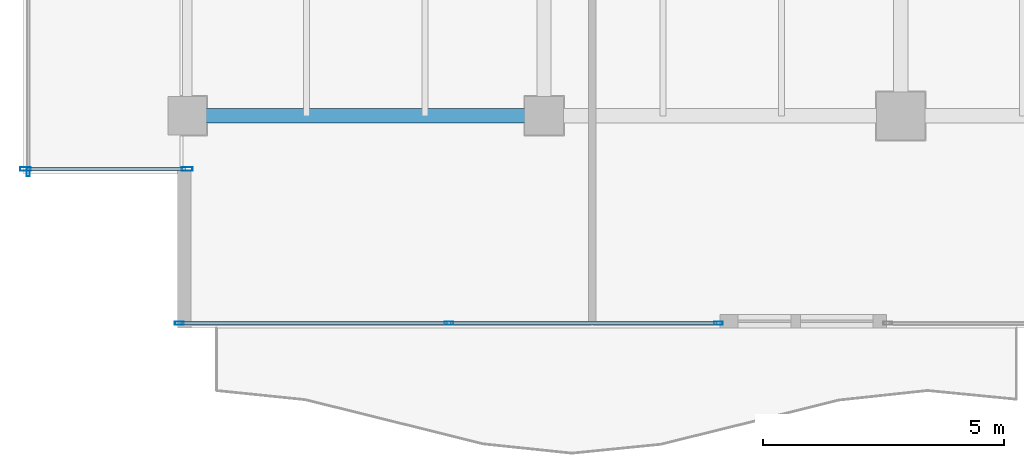
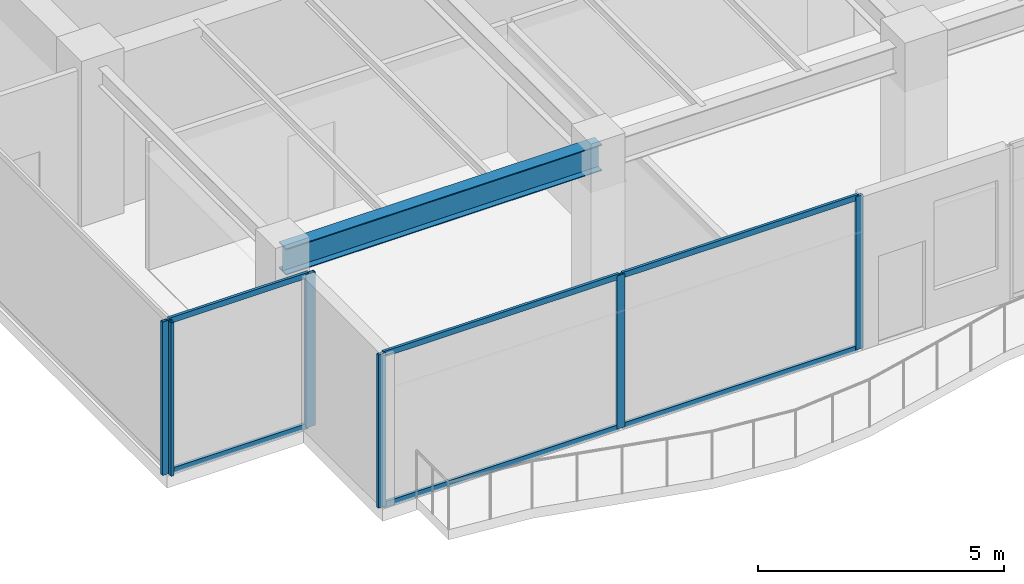
# One storey, part 4 of 35: 12 members, 1 beam, 3 elements without a shape of their own.
"""IFC4 building model written with IfcOpenShell, lengths in metres."""

from ifc_helpers import new_model, si_unit, direction, frame, origin, origin_2d, place, context, subcontext, project, spatial, hollow_rectangle, i_section, extrude, source, transform, mapped, material, layer, layer_set, material_profile, profile_set, type_object, type_shapes, element, aggregate, save


model = new_model("IFC4")

# Units and contexts
model_context = context("Model", 3, precision=1e-05, world=origin(), true_north=direction((0.0, 1.0)))
body_context = subcontext(model_context, "Body", "Model", "MODEL_VIEW")
ifc_project = project(units=[si_unit("LENGTHUNIT", "METRE"), si_unit("AREAUNIT", "SQUARE_METRE"), si_unit("VOLUMEUNIT", "CUBIC_METRE"), si_unit("PLANEANGLEUNIT", "RADIAN"), si_unit("MASSUNIT", "GRAM", prefix="KILO")], contexts=[model_context])

# Site, building, storey
site_placement = place(None, origin())
site = spatial("IfcSite", under=ifc_project, at=site_placement, CompositionType="ELEMENT")
building_placement = place(site_placement, origin())
building = spatial("IfcBuilding", under=site, at=building_placement, Name="Haelvirn Gate Laboratories", CompositionType="ELEMENT")
storey_placement = place(building_placement, frame((0.0, 0.0, 283.39990234375)))
storey = spatial("IfcBuildingStorey", under=building, at=storey_placement, Name="L68", CompositionType="ELEMENT", Elevation=283.39990234375)

# Beam
ifc_material_1 = material(Name="Steel SM355", Category="steel")
ifc_material_profile_1 = material_profile(ifc_material_1, i_section(OverallWidth=0.300048828125, OverallDepth=0.64990234375, WebThickness=0.012939453125, FlangeThickness=0.02197265625, at=origin_2d()), Name="H-650x300x13x22")
ifc_profile_set_1 = profile_set([ifc_material_profile_1], Name="Steel SM355")
beam_type = type_object("IfcBeamType", Name="BM-G-650", PredefinedType="BEAM", material=ifc_profile_set_1)
shared_shape_1 = source(origin(), body_context, "Body", "SweptSolid", [
    extrude(i_section(OverallWidth=0.300048828125, OverallDepth=0.64990234375, WebThickness=0.012939453125, FlangeThickness=0.02197265625, at=origin_2d()), origin(), (0.0, 0.0, 1.0), 7.400146484375),
])
type_shapes(beam_type, [shared_shape_1])
beam_placement = place(storey_placement, frame((7.39990234375, 7.0, 3.47509765625), z_axis=(1.0, 0.0, 0.0), x_axis=(0.0, 1.0, 0.0)))
element("IfcBeam", 1, at=beam_placement, inside=storey, type_object=beam_type, Name="L68 Primary Girder Y7.0 (7.4-14.8)", PredefinedType="BEAM", context=body_context, shape_type="MappedRepresentation", body=[
    mapped(shared_shape_1, transform((0.0, 0.0, 0.0), scale=1.0)),
])

# Curtain wall, members
ifc_material_2 = material(Name="Anodised bronze unitised aluminium & triple low-E glass", Category="aluminium")
ifc_layer_1 = layer(ifc_material_2, 0.181884765625, Name="CW-SYS-5")
ifc_layer_set_1 = layer_set([ifc_layer_1], Name="Anodised bronze unitised aluminium & triple low-E glass")
curtain_wall_type_1 = type_object("IfcCurtainWallType", Name="CW-SYS-5", PredefinedType="NOTDEFINED", material=ifc_layer_set_1)
curtain_wall_1_placement = place(storey_placement, origin())
curtain_wall_1 = element("IfcCurtainWall", 2, at=curtain_wall_1_placement, inside=storey, type_object=curtain_wall_type_1, Name="L68 Unitised Curtain Wall CW-L68-P0-E18-1", PredefinedType="NOTDEFINED")
ifc_material_3 = material(Name="Extruded aluminium 6063-T6 (anodised bronze)", Category="aluminium")
ifc_material_profile_2 = material_profile(ifc_material_3, hollow_rectangle(XDim=0.06494140625, YDim=0.139892578125, WallThickness=0.00390625, at=origin_2d()), Name="CWT-140x65x4")
ifc_profile_set_2 = profile_set([ifc_material_profile_2], Name="Extruded aluminium 6063-T6 (anodised bronze)")
member_type_1 = type_object("IfcMemberType", Name="CWT-T140", PredefinedType="USERDEFINED", material=ifc_profile_set_2)
shared_shape_2 = source(origin(), body_context, "Body", "SweptSolid", [
    extrude(hollow_rectangle(XDim=0.06494140625, YDim=0.139892578125, WallThickness=0.00390625, at=origin_2d()), origin(), (0.0, 0.0, 1.0), 3.280029296875),
])
member_1_placement = place(storey_placement, frame((4.080078125, 5.89990234375, 0.03271484375), z_axis=(1.0, 0.0, 0.0), x_axis=(0.0, 1.0, 0.0)))
member_1 = element("IfcMember", 3, at=member_1_placement, type_object=member_type_1, Name="CW5 transom 1.1", ObjectType="TRANSOM", PredefinedType="USERDEFINED", context=body_context, shape_type="MappedRepresentation", body=[
    mapped(shared_shape_2, transform((0.0, 0.0, 0.0), scale=1.0)),
])
member_2_placement = place(storey_placement, frame((4.080078125, 5.89990234375, 3.767578125), z_axis=(1.0, 0.0, 0.0), x_axis=(0.0, 1.0, 0.0)))
member_2 = element("IfcMember", 4, at=member_2_placement, type_object=member_type_1, Name="CW5 transom 1.2", ObjectType="TRANSOM", PredefinedType="USERDEFINED", context=body_context, shape_type="MappedRepresentation", body=[
    mapped(shared_shape_2, transform((0.0, 0.0, 0.0), scale=1.0)),
])

ifc_layer_2 = layer(ifc_material_2, 0.176025390625, Name="CW-SYS-4")
ifc_layer_set_2 = layer_set([ifc_layer_2], Name="Anodised bronze unitised aluminium & triple low-E glass")
curtain_wall_type_2 = type_object("IfcCurtainWallType", Name="CW-SYS-4", PredefinedType="NOTDEFINED", material=ifc_layer_set_2)
curtain_wall_2_placement = place(storey_placement, origin())
curtain_wall_2 = element("IfcCurtainWall", 5, at=curtain_wall_2_placement, inside=storey, type_object=curtain_wall_type_2, Name="L68 Unitised Curtain Wall CW-L68-P0-E00-1", PredefinedType="NOTDEFINED")
ifc_material_profile_3 = material_profile(ifc_material_3, hollow_rectangle(XDim=0.070068359375, YDim=0.179931640625, WallThickness=0.0048828125, at=origin_2d()), Name="CWM-180x70x5")
ifc_profile_set_3 = profile_set([ifc_material_profile_3], Name="Extruded aluminium 6063-T6 (anodised bronze)")
member_type_2 = type_object("IfcMemberType", Name="CWM-T180", PredefinedType="MULLION", material=ifc_profile_set_3)
shared_shape_3 = source(origin(), body_context, "Body", "SweptSolid", [
    extrude(hollow_rectangle(XDim=0.070068359375, YDim=0.179931640625, WallThickness=0.0048828125, at=origin_2d()), origin(), (0.0, 0.0, 1.0), 3.800048828125),
])
type_shapes(member_type_2, [shared_shape_3])
member_3_placement = place(storey_placement, frame((7.235107421875, 2.699951171875, 0.0), z_axis=(0.0, 0.0, 1.0), x_axis=(0.0, 1.0, 0.0)))
member_3 = element("IfcMember", 6, at=member_3_placement, type_object=member_type_2, Name="CW4 mullion 1", PredefinedType="MULLION", context=body_context, shape_type="MappedRepresentation", body=[
    mapped(shared_shape_3, transform((0.0, 0.0, 0.0), scale=1.0)),
])
member_4_placement = place(storey_placement, frame((12.827392578125, 2.699951171875, 0.0), z_axis=(0.0, 0.0, 1.0), x_axis=(0.0, 1.0, 0.0)))
member_4 = element("IfcMember", 7, at=member_4_placement, type_object=member_type_2, Name="CW4 mullion 2", PredefinedType="MULLION", context=body_context, shape_type="MappedRepresentation", body=[
    mapped(shared_shape_3, transform((0.0, 0.0, 0.0), scale=1.0)),
])
member_5_placement = place(storey_placement, frame((18.419921875, 2.699951171875, 0.0), z_axis=(0.0, 0.0, 1.0), x_axis=(0.0, 1.0, 0.0)))
member_5 = element("IfcMember", 8, at=member_5_placement, type_object=member_type_2, Name="CW4 mullion 3", PredefinedType="MULLION", context=body_context, shape_type="MappedRepresentation", body=[
    mapped(shared_shape_3, transform((0.0, 0.0, 0.0), scale=1.0)),
])

# Curtain wall, member
curtain_wall_3_placement = place(storey_placement, origin())
curtain_wall_3 = element("IfcCurtainWall", 9, at=curtain_wall_3_placement, inside=storey, type_object=curtain_wall_type_2, Name="L68 Unitised Curtain Wall CW-L68-P0-E17", PredefinedType="NOTDEFINED")
member_6_placement = place(storey_placement, frame((4.10009765625, 5.8349609375, 0.0), z_axis=(0.0, 0.0, 1.0), x_axis=(1.0, 0.0, 0.0)))
member_6 = element("IfcMember", 10, at=member_6_placement, type_object=member_type_2, Name="CW4 mullion 3", PredefinedType="MULLION", context=body_context, shape_type="MappedRepresentation", body=[
    mapped(shared_shape_3, transform((0.0, 0.0, 0.0), scale=1.0)),
])
aggregate(curtain_wall_3, [member_6])

# Member
ifc_material_profile_4 = material_profile(ifc_material_3, hollow_rectangle(XDim=0.080078125, YDim=0.219970703125, WallThickness=0.006103515625, at=origin_2d()), Name="CWM-220x80x6")
ifc_profile_set_4 = profile_set([ifc_material_profile_4], Name="Extruded aluminium 6063-T6 (anodised bronze)")
member_type_3 = type_object("IfcMemberType", Name="CWM-T220", PredefinedType="MULLION", material=ifc_profile_set_4)
shared_shape_4 = source(origin(), body_context, "Body", "SweptSolid", [
    extrude(hollow_rectangle(XDim=0.080078125, YDim=0.219970703125, WallThickness=0.006103515625, at=origin_2d()), origin(), (0.0, 0.0, 1.0), 3.800048828125),
])
type_shapes(member_type_3, [shared_shape_4])
member_7_placement = place(storey_placement, frame((4.0400390625, 5.89990234375, 0.0), z_axis=(0.0, 0.0, 1.0), x_axis=(0.0, 1.0, 0.0)))
member_7 = element("IfcMember", 11, at=member_7_placement, type_object=member_type_3, Name="CW5 mullion 1", PredefinedType="MULLION", context=body_context, shape_type="MappedRepresentation", body=[
    mapped(shared_shape_4, transform((0.0, 0.0, 0.0), scale=1.0)),
])

member_8_placement = place(storey_placement, frame((7.39990234375, 5.89990234375, 0.0), z_axis=(0.0, 0.0, 1.0), x_axis=(0.0, 1.0, 0.0)))
member_8 = element("IfcMember", 12, at=member_8_placement, type_object=member_type_3, Name="CW5 mullion 2", PredefinedType="MULLION", context=body_context, shape_type="MappedRepresentation", body=[
    mapped(shared_shape_4, transform((0.0, 0.0, 0.0), scale=1.0)),
])

aggregate(curtain_wall_1, [member_7, member_8, member_1, member_2])

shared_shape_5 = source(origin(), body_context, "Body", "SweptSolid", [
    extrude(hollow_rectangle(XDim=0.06494140625, YDim=0.139892578125, WallThickness=0.00390625, at=origin_2d()), origin(), (0.0, 0.0, 1.0), 5.5224609375),
])
type_shapes(member_type_1, [shared_shape_2, shared_shape_5])
member_9_placement = place(storey_placement, frame((7.27001953125, 2.699951171875, 0.03271484375), z_axis=(1.0, 0.0, 0.0), x_axis=(0.0, 1.0, 0.0)))
member_9 = element("IfcMember", 13, at=member_9_placement, type_object=member_type_1, Name="CW4 transom 1.1", ObjectType="TRANSOM", PredefinedType="USERDEFINED", context=body_context, shape_type="MappedRepresentation", body=[
    mapped(shared_shape_5, transform((0.0, 0.0, 0.0), scale=1.0)),
])

member_10_placement = place(storey_placement, frame((7.27001953125, 2.699951171875, 3.767578125), z_axis=(1.0, 0.0, 0.0), x_axis=(0.0, 1.0, 0.0)))
member_10 = element("IfcMember", 14, at=member_10_placement, type_object=member_type_1, Name="CW4 transom 1.2", ObjectType="TRANSOM", PredefinedType="USERDEFINED", context=body_context, shape_type="MappedRepresentation", body=[
    mapped(shared_shape_5, transform((0.0, 0.0, 0.0), scale=1.0)),
])

member_11_placement = place(storey_placement, frame((12.862548828125, 2.699951171875, 0.03271484375), z_axis=(1.0, 0.0, 0.0), x_axis=(0.0, 1.0, 0.0)))
member_11 = element("IfcMember", 15, at=member_11_placement, type_object=member_type_1, Name="CW4 transom 2.1", ObjectType="TRANSOM", PredefinedType="USERDEFINED", context=body_context, shape_type="MappedRepresentation", body=[
    mapped(shared_shape_5, transform((0.0, 0.0, 0.0), scale=1.0)),
])

member_12_placement = place(storey_placement, frame((12.862548828125, 2.699951171875, 3.767578125), z_axis=(1.0, 0.0, 0.0), x_axis=(0.0, 1.0, 0.0)))
member_12 = element("IfcMember", 16, at=member_12_placement, type_object=member_type_1, Name="CW4 transom 2.2", ObjectType="TRANSOM", PredefinedType="USERDEFINED", context=body_context, shape_type="MappedRepresentation", body=[
    mapped(shared_shape_5, transform((0.0, 0.0, 0.0), scale=1.0)),
])

aggregate(curtain_wall_2, [member_3, member_4, member_5, member_9, member_10, member_11, member_12])

save(model, "model.ifc")
